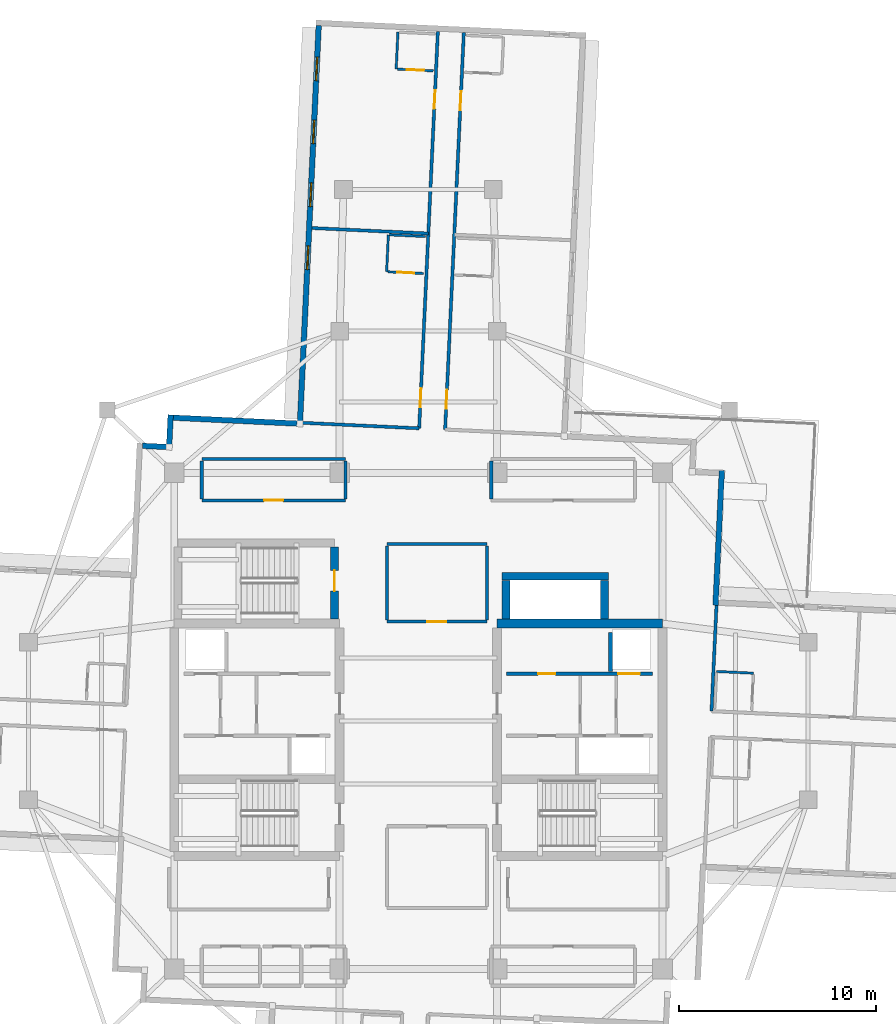
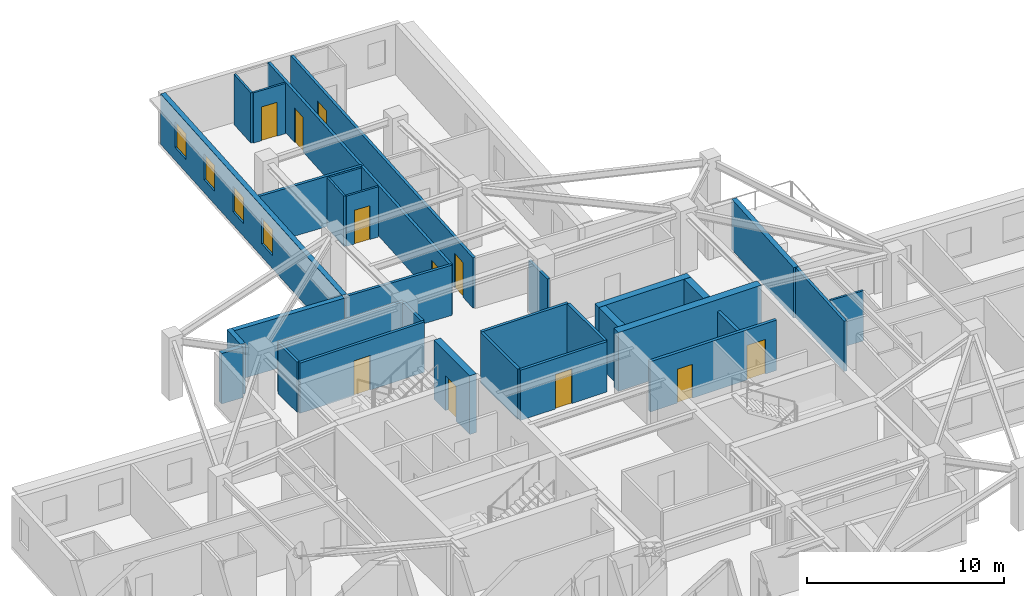
# One storey, part 7 of 13: 32 walls, 11 doors, 4 windows, 15 openings.
"""IFC4 building model written with IfcOpenShell, lengths in metres."""

from ifc_helpers import new_model, si_unit, direction, frame, frame_2d, origin, place, context, subcontext, project, spatial, rectangle, extrude, material, layer, layer_set, type_object, element, fill, save


model = new_model("IFC4")

# Units and contexts
model_context = context("Model", 3, precision=1e-05, world=origin(), true_north=direction((0.0, 1.0)))
body_context = subcontext(model_context, "Body", "Model", "MODEL_VIEW")
ifc_project = project(units=[si_unit("LENGTHUNIT", "METRE"), si_unit("AREAUNIT", "SQUARE_METRE"), si_unit("VOLUMEUNIT", "CUBIC_METRE"), si_unit("PLANEANGLEUNIT", "RADIAN"), si_unit("MASSUNIT", "GRAM", prefix="KILO")], contexts=[model_context])

# Site, building, storey
site_placement = place(None, origin())
site = spatial("IfcSite", under=ifc_project, at=site_placement, CompositionType="ELEMENT")
building_placement = place(site_placement, origin())
building = spatial("IfcBuilding", under=site, at=building_placement, Name="Qingluan Cross Belvedere", CompositionType="ELEMENT")
storey_placement = place(building_placement, frame((0.0, 0.0, 236.39990234375)))
storey = spatial("IfcBuildingStorey", under=building, at=storey_placement, Name="L59", CompositionType="ELEMENT", Elevation=236.39990234375)

# Wall
ifc_material_1 = material(Name="Concrete C50", Category="concrete")
ifc_layer_1 = layer(ifc_material_1, 0.449951171875, Name="CoreShearWall_450")
ifc_layer_set_1 = layer_set([ifc_layer_1], Name="Concrete C50")
wall_type_1 = type_object("IfcWallType", Name="CoreShearWall_450", PredefinedType="SHEAR", material=ifc_layer_set_1)
wall_1_placement = place(storey_placement, frame((4.0, 4.949951171875, 0.0), z_axis=(0.0, 0.0, 1.0), x_axis=(1.0, 0.0, 0.0)))
element("IfcWall", 1, at=wall_1_placement, inside=storey, type_object=wall_type_1, Name="Split core E shear wall L59-N", PredefinedType="SHEAR", context=body_context, shape_type="SweptSolid", body=[
    extrude(rectangle(XDim=8.39990234375, YDim=0.449951171875, at=frame_2d((4.199951171875, 0.0))), origin(), (0.0, 0.0, 1.0), 3.650146484375),
])

# Wall, opening, door
wall_2_placement = place(storey_placement, frame((-4.260009765625, 5.179931640625, 0.0), z_axis=(0.0, 0.0, 1.0), x_axis=(0.0, 1.0, 0.0)))
wall_2 = element("IfcWall", 2, at=wall_2_placement, inside=storey, type_object=wall_type_1, Name="Stair ST3 structural wall E L59", PredefinedType="SHEAR", context=body_context, shape_type="SweptSolid", body=[
    extrude(rectangle(XDim=3.655029296875, YDim=0.39990234375, at=frame_2d((1.82763671875, 0.0))), origin(), (0.0, 0.0, 1.0), 3.650146484375),
])
opening_1_placement = place(wall_2_placement, frame((1.419921875, 0.0, 0.0)))
opening_1 = element("IfcOpeningElement", 3, at=opening_1_placement, cuts=wall_2, Name="Opening FD-B11", PredefinedType="OPENING", context=body_context, shape_type="SweptSolid", body=[
    extrude(rectangle(XDim=1.050048828125, YDim=2.14990234375, at=frame_2d((0.52490234375, 1.074951171875))), frame((0.0, 0.2099609375, 0.0), z_axis=(0.0, -1.0, 0.0), x_axis=(1.0, 0.0, 0.0)), (0.0, 0.0, 1.0), 0.419921875),
])
ifc_material_2 = material(Name="Steel Class B smoke-seal fire door", Category="steel")
door_type_1 = type_object("IfcDoorType", Name="StairLobbyFireDoor_FDB", OperationType="NOTDEFINED", PredefinedType="DOOR", material=ifc_material_2)
door_1_placement = place(opening_1_placement, origin())
door_1 = element("IfcDoor", 4, at=door_1_placement, inside=storey, type_object=door_type_1, Name="Smoke-proof stair ST3 fire door L59", OperationType="SINGLE_SWING_LEFT", OverallHeight=2.14990234375, OverallWidth=1.050048828125, PredefinedType="DOOR", context=body_context, shape_type="SweptSolid", body=[
    extrude(rectangle(XDim=1.050048828125, YDim=2.14990234375, at=frame_2d((0.52490234375, 1.074951171875))), frame((0.0, 0.02490234375, 0.0), z_axis=(0.0, -1.0, 0.0), x_axis=(1.0, 0.0, 0.0)), (0.0, 0.0, 1.0), 0.050048828125),
])
fill(opening_1, door_1)

# Walls
wall_3_placement = place(storey_placement, frame((4.449951171875, 5.179931640625, 0.0), z_axis=(0.0, 0.0, 1.0), x_axis=(0.0, 1.0, 0.0)))
element("IfcWall", 5, at=wall_3_placement, inside=storey, type_object=wall_type_1, Name="Express shuttle core wall L59-W", PredefinedType="SHEAR", context=body_context, shape_type="SweptSolid", body=[
    extrude(rectangle(XDim=1.9599609375, YDim=0.39990234375, at=frame_2d((0.97998046875, 0.0))), origin(), (0.0, 0.0, 1.0), 3.650146484375),
])
wall_4_placement = place(storey_placement, frame((4.25, 7.35009765625, 0.0), z_axis=(0.0, 0.0, 1.0), x_axis=(1.0, 0.0, 0.0)))
element("IfcWall", 6, at=wall_4_placement, inside=storey, type_object=wall_type_1, Name="Express shuttle core wall L59-N", PredefinedType="SHEAR", context=body_context, shape_type="SweptSolid", body=[
    extrude(rectangle(XDim=5.39990234375, YDim=0.39990234375, at=frame_2d((2.699951171875, 0.0))), origin(), (0.0, 0.0, 1.0), 3.650146484375),
])
wall_5_placement = place(storey_placement, frame((9.449951171875, 5.179931640625, 0.0), z_axis=(0.0, 0.0, 1.0), x_axis=(0.0, 1.0, 0.0)))
element("IfcWall", 7, at=wall_5_placement, inside=storey, type_object=wall_type_1, Name="Express shuttle core wall L59-E", PredefinedType="SHEAR", context=body_context, shape_type="SweptSolid", body=[
    extrude(rectangle(XDim=1.9599609375, YDim=0.39990234375, at=frame_2d((0.97998046875, 0.0))), origin(), (0.0, 0.0, 1.0), 3.650146484375),
])

# Wall, opening, door
ifc_material_3 = material(Name="Gypsum plasterboard on steel stud acoustic partition", Category="steel")
ifc_layer_2 = layer(ifc_material_3, 0.159912109375, Name="CorridorPartition_160")
ifc_layer_set_2 = layer_set([ifc_layer_2], Name="Gypsum plasterboard on steel stud acoustic partition")
wall_type_2 = type_object("IfcWallType", Name="CorridorPartition_160", PredefinedType="PARTITIONING", material=ifc_layer_set_2)
wall_6_placement = place(storey_placement, frame((-11.0, 11.199951171875, 0.0), z_axis=(0.0, 0.0, 1.0), x_axis=(1.0, 0.0, 0.0)))
wall_6 = element("IfcWall", 8, at=wall_6_placement, inside=storey, type_object=wall_type_2, Name="Partition L59:q_nw_occ:S", PredefinedType="PARTITIONING", context=body_context, shape_type="SweptSolid", body=[
    extrude(rectangle(XDim=7.300048828125, YDim=0.159912109375, at=frame_2d((3.64990234375, 0.0))), origin(), (0.0, 0.0, 1.0), 3.1201171875),
])
opening_2_placement = place(wall_6_placement, frame((3.169921875, 0.0, 0.0)))
opening_2 = element("IfcOpeningElement", 9, at=opening_2_placement, cuts=wall_6, Name="Opening GD-10", PredefinedType="OPENING", context=body_context, shape_type="SweptSolid", body=[
    extrude(rectangle(XDim=0.9599609375, YDim=2.14990234375, at=frame_2d((0.47998046875, 1.074951171875))), frame((0.0, 0.08984375, 0.0), z_axis=(0.0, -1.0, 0.0), x_axis=(1.0, 0.0, 0.0)), (0.0, 0.0, 1.0), 0.179931640625),
])
ifc_material_4 = material(Name="Timber oak fire-rated acoustic guestroom door", Category="wood")
door_type_2 = type_object("IfcDoorType", Name="GuestEntryDoor_FD60", OperationType="NOTDEFINED", PredefinedType="DOOR", material=ifc_material_4)
door_2_placement = place(opening_2_placement, origin())
door_2 = element("IfcDoor", 10, at=door_2_placement, inside=storey, type_object=door_type_2, Name="Northwest sky reading salon L59 door", OperationType="SINGLE_SWING_RIGHT", OverallHeight=2.14990234375, OverallWidth=0.9599609375, PredefinedType="DOOR", context=body_context, shape_type="SweptSolid", body=[
    extrude(rectangle(XDim=0.9599609375, YDim=2.14990234375, at=frame_2d((0.47998046875, 1.074951171875))), frame((0.0, 0.02490234375, 0.0), z_axis=(0.0, -1.0, 0.0), x_axis=(1.0, 0.0, 0.0)), (0.0, 0.0, 1.0), 0.050048828125),
])
fill(opening_2, door_2)

# Walls
wall_7_placement = place(storey_placement, frame((-11.0, 13.300048828125, 0.0), z_axis=(0.0, 0.0, 1.0), x_axis=(1.0, 0.0, 0.0)))
element("IfcWall", 11, at=wall_7_placement, inside=storey, type_object=wall_type_2, Name="Partition L59:q_nw_occ:N", PredefinedType="PARTITIONING", context=body_context, shape_type="SweptSolid", body=[
    extrude(rectangle(XDim=7.300048828125, YDim=0.159912109375, at=frame_2d((3.64990234375, 0.0))), origin(), (0.0, 0.0, 1.0), 3.1201171875),
])
for number, where, z_axis, x_axis, name in (
    (12, (-11.0, 11.284912109375, 0.0), (0.0, 0.0, 1.0), (0.0, 1.0, 0.0), "Partition L59:q_nw_occ:W"),
    (13, (-3.699951171875, 11.284912109375, 0.0), (0.0, 0.0, 1.0), (0.0, 1.0, 0.0), "Partition L59:q_nw_occ:E"),
    (14, (3.699951171875, 11.284912109375, 0.0), (0.0, 0.0, 1.0), (0.0, 1.0, 0.0), "Partition L59:q_ne:W"),
):
    element("IfcWall", number, at=place(storey_placement, frame(where, z_axis=z_axis, x_axis=x_axis)), inside=storey, type_object=wall_type_2, Name=name, PredefinedType="PARTITIONING", context=body_context, shape_type="SweptSolid", body=[
        extrude(rectangle(XDim=1.93017578125, YDim=0.159912109375, at=frame_2d((0.965087890625, 0.0))), origin(), (0.0, 0.0, 1.0), 3.1201171875),
    ])

# Wall, opening, door
wall_8_placement = place(storey_placement, frame((-1.60009765625, 5.050048828125, 0.0), z_axis=(0.0, 0.0, 1.0), x_axis=(1.0, 0.0, 0.0)))
wall_8 = element("IfcWall", 15, at=wall_8_placement, inside=storey, type_object=wall_type_2, Name="Partition L59:sky_tea_alcove:S", PredefinedType="PARTITIONING", context=body_context, shape_type="SweptSolid", body=[
    extrude(rectangle(XDim=5.080078125, YDim=0.159912109375, at=frame_2d((2.5400390625, 0.0))), origin(), (0.0, 0.0, 1.0), 3.1201171875),
])
opening_3_placement = place(wall_8_placement, frame((2.06005859375, 0.0, 0.0)))
opening_3 = element("IfcOpeningElement", 16, at=opening_3_placement, cuts=wall_8, Name="Opening GD-10", PredefinedType="OPENING", context=body_context, shape_type="SweptSolid", body=[
    extrude(rectangle(XDim=0.9599609375, YDim=2.14990234375, at=frame_2d((0.47998046875, 1.074951171875))), frame((0.0, 0.08984375, 0.0), z_axis=(0.0, -1.0, 0.0), x_axis=(1.0, 0.0, 0.0)), (0.0, 0.0, 1.0), 0.179931640625),
])
door_3_placement = place(opening_3_placement, origin())
door_3 = element("IfcDoor", 17, at=door_3_placement, inside=storey, type_object=door_type_2, Name="Sky horizon tea salon L59 door", OperationType="SINGLE_SWING_RIGHT", OverallHeight=2.14990234375, OverallWidth=0.9599609375, PredefinedType="DOOR", context=body_context, shape_type="SweptSolid", body=[
    extrude(rectangle(XDim=0.9599609375, YDim=2.14990234375, at=frame_2d((0.47998046875, 1.074951171875))), frame((0.0, 0.02490234375, 0.0), z_axis=(0.0, -1.0, 0.0), x_axis=(1.0, 0.0, 0.0)), (0.0, 0.0, 1.0), 0.050048828125),
])
fill(opening_3, door_3)

# Walls
wall_9_placement = place(storey_placement, frame((-1.60009765625, 8.97998046875, 0.0), z_axis=(0.0, 0.0, 1.0), x_axis=(1.0, 0.0, 0.0)))
element("IfcWall", 18, at=wall_9_placement, inside=storey, type_object=wall_type_2, Name="Partition L59:sky_tea_alcove:N", PredefinedType="PARTITIONING", context=body_context, shape_type="SweptSolid", body=[
    extrude(rectangle(XDim=5.080078125, YDim=0.159912109375, at=frame_2d((2.5400390625, 0.0))), origin(), (0.0, 0.0, 1.0), 3.1201171875),
])
for number, where, z_axis, x_axis, name in (
    (19, (-1.60009765625, 5.135009765625, 0.0), (0.0, 0.0, 1.0), (0.0, 1.0, 0.0), "Partition L59:sky_tea_alcove:W"),
    (20, (3.47998046875, 5.135009765625, 0.0), (0.0, 0.0, 1.0), (0.0, 1.0, 0.0), "Partition L59:sky_tea_alcove:E"),
):
    element("IfcWall", number, at=place(storey_placement, frame(where, z_axis=z_axis, x_axis=x_axis)), inside=storey, type_object=wall_type_2, Name=name, PredefinedType="PARTITIONING", context=body_context, shape_type="SweptSolid", body=[
        extrude(rectangle(XDim=3.760009765625, YDim=0.159912109375, at=frame_2d((1.8798828125, 0.0))), origin(), (0.0, 0.0, 1.0), 3.1201171875),
    ])
wall_10_placement = place(storey_placement, frame((14.889892578125, 0.4990234375, 0.0), z_axis=(0.0, 0.0, 1.0), x_axis=(0.047126833636, 0.998888913519, 0.0)))
element("IfcWall", 21, at=wall_10_placement, inside=storey, type_object=wall_type_2, Name="Partition L59:E:s0", PredefinedType="PARTITIONING", context=body_context, shape_type="SweptSolid", body=[
    extrude(rectangle(XDim=5.3720703125, YDim=0.159912109375, at=frame_2d((2.68603515625, 0.0))), origin(), (0.0, 0.0, 1.0), 3.1201171875),
])

# Wall, openings, doors
wall_11_placement = place(storey_placement, frame((1.35888671875, 14.802490234375, 0.0), z_axis=(0.0, 0.0, 1.0), x_axis=(0.047105921672, 0.998889899911, 0.0)))
wall_11 = element("IfcWall", 22, at=wall_11_placement, inside=storey, type_object=wall_type_2, Name="Partition L59:N:c0", PredefinedType="PARTITIONING", context=body_context, shape_type="SweptSolid", body=[
    extrude(rectangle(XDim=20.181884765625, YDim=0.159912109375, at=frame_2d((10.0908203125, 0.0))), origin(), (0.0, 0.0, 1.0), 3.1201171875),
])
opening_4_placement = place(wall_11_placement, frame((1.06494140625, 0.0, 0.0)))
opening_4 = element("IfcOpeningElement", 23, at=opening_4_placement, cuts=wall_11, Name="Opening GD-10", PredefinedType="OPENING", context=body_context, shape_type="SweptSolid", body=[
    extrude(rectangle(XDim=0.9599609375, YDim=2.14990234375, at=frame_2d((0.47998046875, 1.074951171875))), frame((0.0, 0.08984375, 0.0), z_axis=(0.0, -1.0, 0.0), x_axis=(1.0, 0.0, 0.0)), (0.0, 0.0, 1.0), 0.179931640625),
])
opening_5_placement = place(wall_11_placement, frame((16.239990234375, 0.0, 0.0)))
opening_5 = element("IfcOpeningElement", 24, at=opening_5_placement, cuts=wall_11, Name="Opening GD-10", PredefinedType="OPENING", context=body_context, shape_type="SweptSolid", body=[
    extrude(rectangle(XDim=0.9599609375, YDim=2.14990234375, at=frame_2d((0.47998046875, 1.074951171875))), frame((0.0, 0.08984375, 0.0), z_axis=(0.0, -1.0, 0.0), x_axis=(1.0, 0.0, 0.0)), (0.0, 0.0, 1.0), 0.179931640625),
])
door_4_placement = place(opening_4_placement, origin())
door_4 = element("IfcDoor", 25, at=door_4_placement, inside=storey, type_object=door_type_2, Name="Guest entry fire door 5909", OperationType="SINGLE_SWING_RIGHT", OverallHeight=2.14990234375, OverallWidth=0.9599609375, PredefinedType="DOOR", context=body_context, shape_type="SweptSolid", body=[
    extrude(rectangle(XDim=0.9599609375, YDim=2.14990234375, at=frame_2d((0.47998046875, 1.074951171875))), frame((0.0, 0.02490234375, 0.0), z_axis=(0.0, -1.0, 0.0), x_axis=(1.0, 0.0, 0.0)), (0.0, 0.0, 1.0), 0.050048828125),
])
fill(opening_4, door_4)
door_5_placement = place(opening_5_placement, origin())
door_5 = element("IfcDoor", 26, at=door_5_placement, inside=storey, type_object=door_type_2, Name="Guest entry fire door 5910", OperationType="SINGLE_SWING_RIGHT", OverallHeight=2.14990234375, OverallWidth=0.9599609375, PredefinedType="DOOR", context=body_context, shape_type="SweptSolid", body=[
    extrude(rectangle(XDim=0.9599609375, YDim=2.14990234375, at=frame_2d((0.47998046875, 1.074951171875))), frame((0.0, 0.02490234375, 0.0), z_axis=(0.0, -1.0, 0.0), x_axis=(1.0, 0.0, 0.0)), (0.0, 0.0, 1.0), 0.050048828125),
])
fill(opening_5, door_5)

wall_12_placement = place(storey_placement, frame((0.040283203125, 14.864501953125, 0.0), z_axis=(0.0, 0.0, 1.0), x_axis=(0.047105352469, 0.998889926753, 0.0)))
wall_12 = element("IfcWall", 27, at=wall_12_placement, inside=storey, type_object=wall_type_2, Name="Partition L59:N:c1", PredefinedType="PARTITIONING", context=body_context, shape_type="SweptSolid", body=[
    extrude(rectangle(XDim=20.18212890625, YDim=0.159912109375, at=frame_2d((10.091064453125, 0.0))), origin(), (0.0, 0.0, 1.0), 3.1201171875),
])
opening_6_placement = place(wall_12_placement, frame((1.06494140625, 0.0, 0.0)))
opening_6 = element("IfcOpeningElement", 28, at=opening_6_placement, cuts=wall_12, Name="Opening GD-10", PredefinedType="OPENING", context=body_context, shape_type="SweptSolid", body=[
    extrude(rectangle(XDim=0.9599609375, YDim=2.14990234375, at=frame_2d((0.47998046875, 1.074951171875))), frame((0.0, 0.08984375, 0.0), z_axis=(0.0, -1.0, 0.0), x_axis=(1.0, 0.0, 0.0)), (0.0, 0.0, 1.0), 0.179931640625),
])
opening_7_placement = place(wall_12_placement, frame((16.239990234375, 0.0, 0.0)))
opening_7 = element("IfcOpeningElement", 29, at=opening_7_placement, cuts=wall_12, Name="Opening GD-10", PredefinedType="OPENING", context=body_context, shape_type="SweptSolid", body=[
    extrude(rectangle(XDim=0.9599609375, YDim=2.14990234375, at=frame_2d((0.47998046875, 1.074951171875))), frame((0.0, 0.08984375, 0.0), z_axis=(0.0, -1.0, 0.0), x_axis=(1.0, 0.0, 0.0)), (0.0, 0.0, 1.0), 0.179931640625),
])
door_6_placement = place(opening_6_placement, origin())
door_6 = element("IfcDoor", 30, at=door_6_placement, inside=storey, type_object=door_type_2, Name="Guest entry fire door 5911", OperationType="SINGLE_SWING_RIGHT", OverallHeight=2.14990234375, OverallWidth=0.9599609375, PredefinedType="DOOR", context=body_context, shape_type="SweptSolid", body=[
    extrude(rectangle(XDim=0.9599609375, YDim=2.14990234375, at=frame_2d((0.47998046875, 1.074951171875))), frame((0.0, 0.02490234375, 0.0), z_axis=(0.0, -1.0, 0.0), x_axis=(1.0, 0.0, 0.0)), (0.0, 0.0, 1.0), 0.050048828125),
])
fill(opening_6, door_6)
door_7_placement = place(opening_7_placement, origin())
door_7 = element("IfcDoor", 31, at=door_7_placement, inside=storey, type_object=door_type_2, Name="Guest entry fire door 5912", OperationType="SINGLE_SWING_RIGHT", OverallHeight=2.14990234375, OverallWidth=0.9599609375, PredefinedType="DOOR", context=body_context, shape_type="SweptSolid", body=[
    extrude(rectangle(XDim=0.9599609375, YDim=2.14990234375, at=frame_2d((0.47998046875, 1.074951171875))), frame((0.0, 0.02490234375, 0.0), z_axis=(0.0, -1.0, 0.0), x_axis=(1.0, 0.0, 0.0)), (0.0, 0.0, 1.0), 0.050048828125),
])
fill(opening_7, door_7)

# Walls
wall_13_placement = place(storey_placement, frame((0.040283203125, 14.864501953125, 0.0), z_axis=(0.0, 0.0, 1.0), x_axis=(-0.998888462901, 0.047136383867, 0.0)))
element("IfcWall", 32, at=wall_13_placement, inside=storey, type_object=wall_type_2, Name="Partition L59:N:s1", PredefinedType="PARTITIONING", context=body_context, shape_type="SweptSolid", body=[
    extrude(rectangle(XDim=6.06005859375, YDim=0.159912109375, at=frame_2d((3.030029296875, 0.0))), origin(), (0.0, 0.0, 1.0), 3.1201171875),
])
wall_14_placement = place(storey_placement, frame((0.5068359375, 24.758544921875, 0.0), z_axis=(0.0, 0.0, 1.0), x_axis=(-0.998889339148, 0.047117811235, 0.0)))
element("IfcWall", 33, at=wall_14_placement, inside=storey, type_object=wall_type_2, Name="Partition L59:N:d1_0", PredefinedType="PARTITIONING", context=body_context, shape_type="SweptSolid", body=[
    extrude(rectangle(XDim=5.912109375, YDim=0.159912109375, at=frame_2d((2.9560546875, 0.0))), origin(), (0.0, 0.0, 1.0), 3.1201171875),
])
ifc_material_5 = material(Name="Moisture-resistant gypsum board lining")
ifc_layer_3 = layer(ifc_material_5, 0.1201171875, Name="EnsuiteWetPartition_120")
ifc_layer_set_3 = layer_set([ifc_layer_3], Name="Moisture-resistant gypsum board lining")
wall_type_3 = type_object("IfcWallType", Name="EnsuiteWetPartition_120", PredefinedType="PARTITIONING", material=ifc_layer_set_3)
wall_15_placement = place(storey_placement, frame((15.145263671875, 2.514404296875, 0.0), z_axis=(0.0, 0.0, 1.0), x_axis=(0.998888319371, -0.047139425368, 0.0)))
element("IfcWall", 34, at=wall_15_placement, inside=storey, type_object=wall_type_3, Name="Partition L59:E:bn0_0", PredefinedType="PARTITIONING", context=body_context, shape_type="SweptSolid", body=[
    extrude(rectangle(XDim=1.880126953125, YDim=0.1201171875, at=frame_2d((0.93994140625, 0.0))), origin(), (0.0, 0.0, 1.0), 3.1201171875),
])

# Wall, opening, door
wall_16_placement = place(storey_placement, frame((-1.547119140625, 22.813232421875, 0.0), z_axis=(0.0, 0.0, 1.0), x_axis=(0.998891083954, -0.047080807099, 0.0)))
wall_16 = element("IfcWall", 35, at=wall_16_placement, inside=storey, type_object=wall_type_3, Name="Partition L59:N:bs1_0", PredefinedType="PARTITIONING", context=body_context, shape_type="SweptSolid", body=[
    extrude(rectangle(XDim=1.820068359375, YDim=0.1201171875, at=frame_2d((0.91015625, 0.0))), origin(), (0.0, 0.0, 1.0), 3.1201171875),
])
opening_8_placement = place(wall_16_placement, frame((0.469970703125, 0.0, 0.0)))
opening_8 = element("IfcOpeningElement", 36, at=opening_8_placement, cuts=wall_16, Name="Opening BD-09", PredefinedType="OPENING", context=body_context, shape_type="SweptSolid", body=[
    extrude(rectangle(XDim=0.8798828125, YDim=2.10009765625, at=frame_2d((0.43994140625, 1.050048828125))), frame((0.0, 0.070068359375, 0.0), z_axis=(0.0, -1.0, 0.0), x_axis=(1.0, 0.0, 0.0)), (0.0, 0.0, 1.0), 0.14013671875),
])
ifc_material_6 = material(Name="Moisture-sealed timber en-suite door", Category="wood")
door_type_3 = type_object("IfcDoorType", Name="BathroomDoor_880", OperationType="NOTDEFINED", PredefinedType="DOOR", material=ifc_material_6)
door_8_placement = place(opening_8_placement, origin())
door_8 = element("IfcDoor", 37, at=door_8_placement, inside=storey, type_object=door_type_3, Name="Bathroom door 5911", OperationType="SINGLE_SWING_LEFT", OverallHeight=2.10009765625, OverallWidth=0.8798828125, PredefinedType="DOOR", context=body_context, shape_type="SweptSolid", body=[
    extrude(rectangle(XDim=0.8798828125, YDim=2.10009765625, at=frame_2d((0.43994140625, 1.050048828125))), frame((0.0, 0.02490234375, 0.0), z_axis=(0.0, -1.0, 0.0), x_axis=(1.0, 0.0, 0.0)), (0.0, 0.0, 1.0), 0.050048828125),
])
fill(opening_8, door_8)

# Walls
wall_17_placement = place(storey_placement, frame((-1.45849609375, 24.691162109375, 0.0), z_axis=(0.0, 0.0, 1.0), x_axis=(0.998891083954, -0.047080807099, 0.0)))
element("IfcWall", 38, at=wall_17_placement, inside=storey, type_object=wall_type_3, Name="Partition L59:N:bw1_0", PredefinedType="PARTITIONING", context=body_context, shape_type="SweptSolid", body=[
    extrude(rectangle(XDim=1.820068359375, YDim=0.1201171875, at=frame_2d((0.91015625, 0.0))), origin(), (0.0, 0.0, 1.0), 3.1201171875),
])
wall_18_placement = place(storey_placement, frame((-1.612060546875, 22.81640625, 0.0), z_axis=(0.0, 0.0, 1.0), x_axis=(0.047145540913, 0.998888030748, 0.0)))
element("IfcWall", 39, at=wall_18_placement, inside=storey, type_object=wall_type_3, Name="Partition L59:N:bc1_0", PredefinedType="PARTITIONING", context=body_context, shape_type="SweptSolid", body=[
    extrude(rectangle(XDim=1.8798828125, YDim=0.1201171875, at=frame_2d((0.93994140625, 0.0))), origin(), (0.0, 0.0, 1.0), 3.1201171875),
])

# Wall, opening, door
wall_19_placement = place(storey_placement, frame((-1.0615234375, 33.106689453125, 0.0), z_axis=(0.0, 0.0, 1.0), x_axis=(0.998890786574, -0.047087116047, 0.0)))
wall_19 = element("IfcWall", 40, at=wall_19_placement, inside=storey, type_object=wall_type_3, Name="Partition L59:N:bs1_1", PredefinedType="PARTITIONING", context=body_context, shape_type="SweptSolid", body=[
    extrude(rectangle(XDim=1.81982421875, YDim=0.1201171875, at=frame_2d((0.909912109375, 0.0))), origin(), (0.0, 0.0, 1.0), 3.1201171875),
])
opening_9_placement = place(wall_19_placement, frame((0.469970703125, 0.0, 0.0)))
opening_9 = element("IfcOpeningElement", 41, at=opening_9_placement, cuts=wall_19, Name="Opening BD-09", PredefinedType="OPENING", context=body_context, shape_type="SweptSolid", body=[
    extrude(rectangle(XDim=0.8798828125, YDim=2.10009765625, at=frame_2d((0.43994140625, 1.050048828125))), frame((0.0, 0.070068359375, 0.0), z_axis=(0.0, -1.0, 0.0), x_axis=(1.0, 0.0, 0.0)), (0.0, 0.0, 1.0), 0.14013671875),
])
door_9_placement = place(opening_9_placement, origin())
door_9 = element("IfcDoor", 42, at=door_9_placement, inside=storey, type_object=door_type_3, Name="Bathroom door 5912", OperationType="SINGLE_SWING_LEFT", OverallHeight=2.10009765625, OverallWidth=0.8798828125, PredefinedType="DOOR", context=body_context, shape_type="SweptSolid", body=[
    extrude(rectangle(XDim=0.8798828125, YDim=2.10009765625, at=frame_2d((0.43994140625, 1.050048828125))), frame((0.0, 0.02490234375, 0.0), z_axis=(0.0, -1.0, 0.0), x_axis=(1.0, 0.0, 0.0)), (0.0, 0.0, 1.0), 0.050048828125),
])
fill(opening_9, door_9)

# Wall
wall_20_placement = place(storey_placement, frame((-1.126708984375, 33.10986328125, 0.0), z_axis=(0.0, 0.0, 1.0), x_axis=(0.047139425368, 0.998888319371, 0.0)))
element("IfcWall", 43, at=wall_20_placement, inside=storey, type_object=wall_type_3, Name="Partition L59:N:bc1_1", PredefinedType="PARTITIONING", context=body_context, shape_type="SweptSolid", body=[
    extrude(rectangle(XDim=1.880126953125, YDim=0.1201171875, at=frame_2d((0.93994140625, 0.0))), origin(), (0.0, 0.0, 1.0), 3.1201171875),
])

# Wall, openings, windows
ifc_material_7 = material(Name="Precast concrete C45", Category="concrete")
ifc_layer_4 = layer(ifc_material_7, 0.280029296875, Name="PrecastFacadeWall_280")
ifc_layer_set_4 = layer_set([ifc_layer_4], Name="Precast concrete C45")
wall_type_4 = type_object("IfcWallType", Name="PrecastFacadeWall_280", PredefinedType="STANDARD", material=ifc_layer_set_4)
wall_21_placement = place(storey_placement, frame((-5.06201171875, 35.317626953125, 0.0), z_axis=(0.0, 0.0, 1.0), x_axis=(-0.047103473814, -0.998890015344, 0.0)))
wall_21 = element("IfcWall", 44, at=wall_21_placement, inside=storey, type_object=wall_type_4, Name="Facade wall L59-NB", PredefinedType="STANDARD", context=body_context, shape_type="SweptSolid", body=[
    extrude(rectangle(XDim=20.099853515625, YDim=0.280029296875, at=frame_2d((10.0498046875, 0.0))), origin(), (0.0, 0.0, 1.0), 3.130126953125),
])
opening_10_placement = place(wall_21_placement, frame((1.60009765625, 0.0, 0.800048828125)))
opening_10 = element("IfcOpeningElement", 45, at=opening_10_placement, cuts=wall_21, Name="Opening W-02", PredefinedType="OPENING", context=body_context, shape_type="SweptSolid", body=[
    extrude(rectangle(XDim=1.199951171875, YDim=1.60009765625, at=frame_2d((0.60009765625, 0.800048828125))), frame((0.0, 0.14990234375, 0.0), z_axis=(0.0, -1.0, 0.0), x_axis=(1.0, 0.0, 0.0)), (0.0, 0.0, 1.0), 0.300048828125),
])
opening_11_placement = place(wall_21_placement, frame((4.800048828125, 0.0, 0.800048828125)))
opening_11 = element("IfcOpeningElement", 46, at=opening_11_placement, cuts=wall_21, Name="Opening W-02", PredefinedType="OPENING", context=body_context, shape_type="SweptSolid", body=[
    extrude(rectangle(XDim=1.199951171875, YDim=1.60009765625, at=frame_2d((0.60009765625, 0.800048828125))), frame((0.0, 0.14990234375, 0.0), z_axis=(0.0, -1.0, 0.0), x_axis=(1.0, 0.0, 0.0)), (0.0, 0.0, 1.0), 0.300048828125),
])
opening_12_placement = place(wall_21_placement, frame((8.0, 0.0, 0.800048828125)))
opening_12 = element("IfcOpeningElement", 47, at=opening_12_placement, cuts=wall_21, Name="Opening W-02", PredefinedType="OPENING", context=body_context, shape_type="SweptSolid", body=[
    extrude(rectangle(XDim=1.199951171875, YDim=1.60009765625, at=frame_2d((0.60009765625, 0.800048828125))), frame((0.0, 0.14990234375, 0.0), z_axis=(0.0, -1.0, 0.0), x_axis=(1.0, 0.0, 0.0)), (0.0, 0.0, 1.0), 0.300048828125),
])
opening_13_placement = place(wall_21_placement, frame((11.199951171875, 0.0, 0.800048828125)))
opening_13 = element("IfcOpeningElement", 48, at=opening_13_placement, cuts=wall_21, Name="Opening W-02", PredefinedType="OPENING", context=body_context, shape_type="SweptSolid", body=[
    extrude(rectangle(XDim=1.199951171875, YDim=1.60009765625, at=frame_2d((0.60009765625, 0.800048828125))), frame((0.0, 0.14990234375, 0.0), z_axis=(0.0, -1.0, 0.0), x_axis=(1.0, 0.0, 0.0)), (0.0, 0.0, 1.0), 0.300048828125),
])
ifc_material_8 = material(Name="Thermally broken triple Low-E glass in aluminium frame", Category="aluminium")
window_type = type_object("IfcWindowType", Name="TriRibbonWin_1200x1600", PartitioningType="SINGLE_PANEL", PredefinedType="WINDOW", material=ifc_material_8)
window_1_placement = place(opening_10_placement, origin())
window_1 = element("IfcWindow", 49, at=window_1_placement, inside=storey, type_object=window_type, Name="Ribbon window L59-NB-1", OverallHeight=1.60009765625, OverallWidth=1.199951171875, PartitioningType="SINGLE_PANEL", PredefinedType="WINDOW", context=body_context, shape_type="SweptSolid", body=[
    extrude(rectangle(XDim=1.199951171875, YDim=1.60009765625, at=frame_2d((0.60009765625, 0.800048828125))), frame((0.0, 0.030029296875, 0.0), z_axis=(0.0, -1.0, 0.0), x_axis=(1.0, 0.0, 0.0)), (0.0, 0.0, 1.0), 0.06005859375),
])
fill(opening_10, window_1)
window_2_placement = place(opening_11_placement, origin())
window_2 = element("IfcWindow", 50, at=window_2_placement, inside=storey, type_object=window_type, Name="Ribbon window L59-NB-2", OverallHeight=1.60009765625, OverallWidth=1.199951171875, PartitioningType="SINGLE_PANEL", PredefinedType="WINDOW", context=body_context, shape_type="SweptSolid", body=[
    extrude(rectangle(XDim=1.199951171875, YDim=1.60009765625, at=frame_2d((0.60009765625, 0.800048828125))), frame((0.0, 0.030029296875, 0.0), z_axis=(0.0, -1.0, 0.0), x_axis=(1.0, 0.0, 0.0)), (0.0, 0.0, 1.0), 0.06005859375),
])
fill(opening_11, window_2)
window_3_placement = place(opening_12_placement, origin())
window_3 = element("IfcWindow", 51, at=window_3_placement, inside=storey, type_object=window_type, Name="Ribbon window L59-NB-3", OverallHeight=1.60009765625, OverallWidth=1.199951171875, PartitioningType="SINGLE_PANEL", PredefinedType="WINDOW", context=body_context, shape_type="SweptSolid", body=[
    extrude(rectangle(XDim=1.199951171875, YDim=1.60009765625, at=frame_2d((0.60009765625, 0.800048828125))), frame((0.0, 0.030029296875, 0.0), z_axis=(0.0, -1.0, 0.0), x_axis=(1.0, 0.0, 0.0)), (0.0, 0.0, 1.0), 0.06005859375),
])
fill(opening_12, window_3)
window_4_placement = place(opening_13_placement, origin())
window_4 = element("IfcWindow", 52, at=window_4_placement, inside=storey, type_object=window_type, Name="Ribbon window L59-NB-4", OverallHeight=1.60009765625, OverallWidth=1.199951171875, PartitioningType="SINGLE_PANEL", PredefinedType="WINDOW", context=body_context, shape_type="SweptSolid", body=[
    extrude(rectangle(XDim=1.199951171875, YDim=1.60009765625, at=frame_2d((0.60009765625, 0.800048828125))), frame((0.0, 0.030029296875, 0.0), z_axis=(0.0, -1.0, 0.0), x_axis=(1.0, 0.0, 0.0)), (0.0, 0.0, 1.0), 0.06005859375),
])
fill(opening_13, window_4)

# Walls
wall_22_placement = place(storey_placement, frame((15.093505859375, 5.87548828125, 0.0), z_axis=(0.0, 0.0, 1.0), x_axis=(0.04712043756, 0.998889215261, 0.0)))
element("IfcWall", 53, at=wall_22_placement, inside=storey, type_object=wall_type_4, Name="Corner wall L59-NE1", PredefinedType="STANDARD", context=body_context, shape_type="SweptSolid", body=[
    extrude(rectangle(XDim=6.85986328125, YDim=0.280029296875, at=frame_2d((3.429931640625, 0.0))), origin(), (0.0, 0.0, 1.0), 3.130126953125),
])
wall_23_placement = place(storey_placement, frame((-14.01708984375, 13.975830078125, 0.0), z_axis=(0.0, 0.0, 1.0), x_axis=(0.998883930236, -0.047232339719, 0.0)))
element("IfcWall", 54, at=wall_23_placement, inside=storey, type_object=wall_type_4, Name="Corner wall L59-NW2", PredefinedType="STANDARD", context=body_context, shape_type="SweptSolid", body=[
    extrude(rectangle(XDim=1.219970703125, YDim=0.280029296875, at=frame_2d((0.60986328125, 0.0))), origin(), (0.0, 0.0, 1.0), 3.130126953125),
])
wall_24_placement = place(storey_placement, frame((-12.652099609375, 14.051513671875, 0.0), z_axis=(0.0, 0.0, 1.0), x_axis=(0.047039284441, 0.99889304018, 0.0)))
element("IfcWall", 55, at=wall_24_placement, inside=storey, type_object=wall_type_4, Name="Corner wall L59-NW3", PredefinedType="STANDARD", context=body_context, shape_type="SweptSolid", body=[
    extrude(rectangle(XDim=1.5, YDim=0.280029296875, at=frame_2d((0.75, 0.0))), origin(), (0.0, 0.0, 1.0), 3.130126953125),
])
wall_25_placement = place(storey_placement, frame((-12.4482421875, 15.403564453125, 0.0), z_axis=(0.0, 0.0, 1.0), x_axis=(0.998889082162, -0.047123258997, 0.0)))
element("IfcWall", 56, at=wall_25_placement, inside=storey, type_object=wall_type_4, Name="Corner wall L59-NW4", PredefinedType="STANDARD", context=body_context, shape_type="SweptSolid", body=[
    extrude(rectangle(XDim=6.300048828125, YDim=0.280029296875, at=frame_2d((3.14990234375, 0.0))), origin(), (0.0, 0.0, 1.0), 3.130126953125),
])

# Wall, openings, doors
ifc_material_9 = material(Name="Concrete C40", Category="concrete")
ifc_layer_5 = layer(ifc_material_9, 0.219970703125, Name="ShaftEnclosureWall_250")
ifc_layer_set_5 = layer_set([ifc_layer_5], Name="Concrete C40")
wall_type_5 = type_object("IfcWallType", Name="ShaftEnclosureWall_250", PredefinedType="SOLIDWALL", material=ifc_layer_set_5)
wall_26_placement = place(storey_placement, frame((4.47998046875, 2.409912109375, 0.0), z_axis=(0.0, 0.0, 1.0), x_axis=(1.0, 0.0, 0.0)))
wall_26 = element("IfcWall", 57, at=wall_26_placement, inside=storey, type_object=wall_type_5, Name="Core-E north hoistway wall L59", PredefinedType="SOLIDWALL", context=body_context, shape_type="SweptSolid", body=[
    extrude(rectangle(XDim=7.419921875, YDim=0.179931640625, at=frame_2d((3.7099609375, 0.0))), origin(), (0.0, 0.0, 1.0), 3.1201171875),
])
opening_14_placement = place(wall_26_placement, frame((5.669921875, 0.0, 0.0)))
opening_14 = element("IfcOpeningElement", 58, at=opening_14_placement, cuts=wall_26, Name="Opening LD-11", PredefinedType="OPENING", context=body_context, shape_type="SweptSolid", body=[
    extrude(rectangle(XDim=1.10009765625, YDim=2.14990234375, at=frame_2d((0.550048828125, 1.074951171875))), frame((0.0, 0.099853515625, 0.0), z_axis=(0.0, -1.0, 0.0), x_axis=(1.0, 0.0, 0.0)), (0.0, 0.0, 1.0), 0.199951171875),
])
opening_15_placement = place(wall_26_placement, frame((1.60009765625, 0.0, 0.0)))
opening_15 = element("IfcOpeningElement", 59, at=opening_15_placement, cuts=wall_26, Name="Opening FD-B10", PredefinedType="OPENING", context=body_context, shape_type="SweptSolid", body=[
    extrude(rectangle(XDim=0.8798828125, YDim=2.10009765625, at=frame_2d((0.43994140625, 1.050048828125))), frame((0.0, 0.099853515625, 0.0), z_axis=(0.0, -1.0, 0.0), x_axis=(1.0, 0.0, 0.0)), (0.0, 0.0, 1.0), 0.199951171875),
])
ifc_material_10 = material(Name="Brushed stainless steel centre-opening lift landing door", Category="steel")
door_type_4 = type_object("IfcDoorType", Name="LiftLandingSlidingDoor_1100", OperationType="DOUBLE_DOOR_SLIDING", PredefinedType="DOOR", material=ifc_material_10)
door_10_placement = place(opening_14_placement, origin())
door_10 = element("IfcDoor", 60, at=door_10_placement, inside=storey, type_object=door_type_4, Name="Lift landing sliding door FL2 L59", OperationType="DOUBLE_DOOR_SLIDING", OverallHeight=2.14990234375, OverallWidth=1.10009765625, PredefinedType="DOOR", context=body_context, shape_type="SweptSolid", body=[
    extrude(rectangle(XDim=1.10009765625, YDim=2.14990234375, at=frame_2d((0.550048828125, 1.074951171875))), frame((0.0, 0.02490234375, 0.0), z_axis=(0.0, -1.0, 0.0), x_axis=(1.0, 0.0, 0.0)), (0.0, 0.0, 1.0), 0.050048828125),
])
fill(opening_14, door_10)
ifc_material_11 = material(Name="Steel Class B service fire door", Category="steel")
door_type_5 = type_object("IfcDoorType", Name="RiserServiceFireDoor_FDB", OperationType="NOTDEFINED", PredefinedType="DOOR", material=ifc_material_11)
door_11_placement = place(opening_15_placement, origin())
door_11 = element("IfcDoor", 61, at=door_11_placement, inside=storey, type_object=door_type_5, Name="Pantry room door E L59", OperationType="SINGLE_SWING_LEFT", OverallHeight=2.10009765625, OverallWidth=0.8798828125, PredefinedType="DOOR", context=body_context, shape_type="SweptSolid", body=[
    extrude(rectangle(XDim=0.8798828125, YDim=2.10009765625, at=frame_2d((0.43994140625, 1.050048828125))), frame((0.0, 0.02490234375, 0.0), z_axis=(0.0, -1.0, 0.0), x_axis=(1.0, 0.0, 0.0)), (0.0, 0.0, 1.0), 0.050048828125),
])
fill(opening_15, door_11)

# Wall
wall_27_placement = place(storey_placement, frame((9.760009765625, 2.5, 0.0), z_axis=(0.0, 0.0, 1.0), x_axis=(0.0, 1.0, 0.0)))
element("IfcWall", 62, at=wall_27_placement, inside=storey, type_object=wall_type_5, Name="Hoistway enclosure divider FL2W L59", PredefinedType="SOLIDWALL", context=body_context, shape_type="SweptSolid", body=[
    extrude(rectangle(XDim=1.989990234375, YDim=0.179931640625, at=frame_2d((0.9951171875, 0.0))), origin(), (0.0, 0.0, 1.0), 3.1201171875),
])

save(model, "model.ifc")
